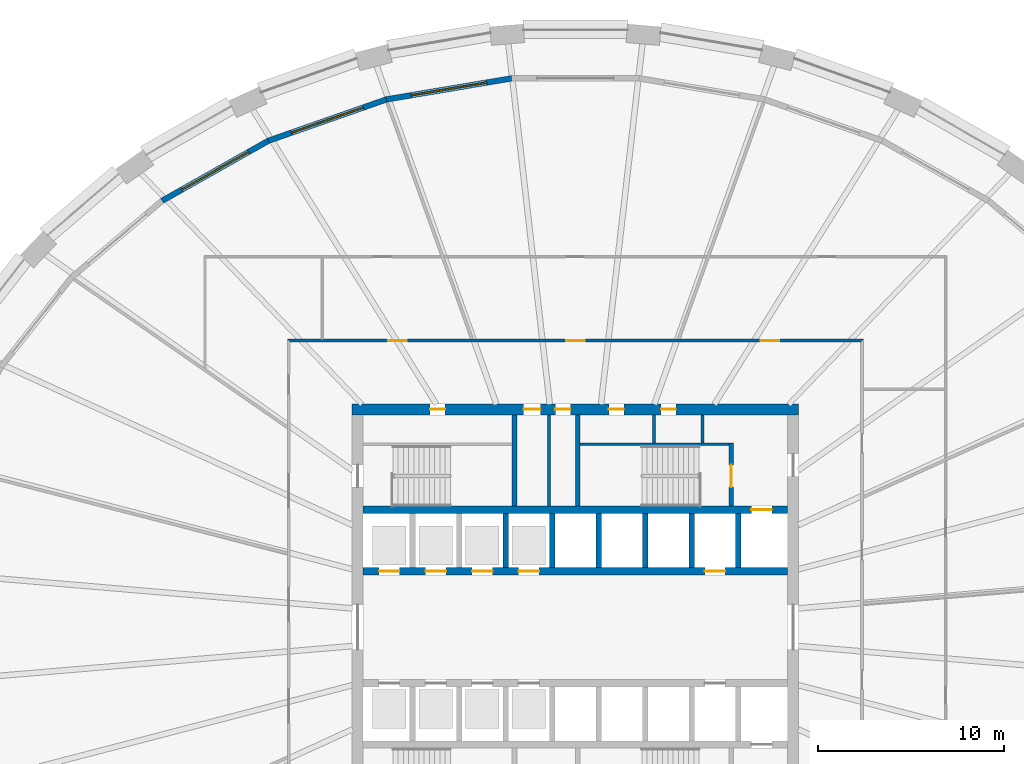
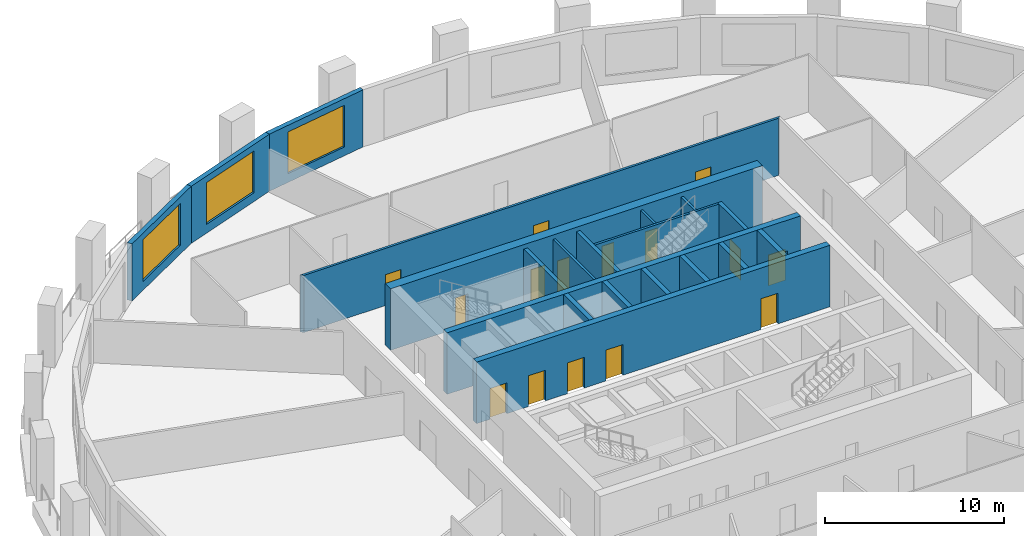
# One storey, part 6 of 11: 20 walls, 15 doors, 3 windows, 18 openings.
"""IFC4 building model written with IfcOpenShell, lengths in metres."""

from ifc_helpers import new_model, si_unit, direction, frame, frame_2d, origin, place, context, subcontext, project, spatial, polyline, rectangle, outline, extrude, material, layer, layer_set, type_object, element, fill, save


model = new_model("IFC4")

# Units and contexts
model_context = context("Model", 3, precision=1e-05, world=origin(), true_north=direction((0.0, 1.0)))
body_context = subcontext(model_context, "Body", "Model", "MODEL_VIEW")
ifc_project = project(units=[si_unit("LENGTHUNIT", "METRE"), si_unit("AREAUNIT", "SQUARE_METRE"), si_unit("VOLUMEUNIT", "CUBIC_METRE"), si_unit("PLANEANGLEUNIT", "RADIAN"), si_unit("MASSUNIT", "GRAM", prefix="KILO")], contexts=[model_context])

# Site, building, storey
site_placement = place(None, origin())
site = spatial("IfcSite", under=ifc_project, at=site_placement, CompositionType="ELEMENT")
building_placement = place(site_placement, origin())
building = spatial("IfcBuilding", under=site, at=building_placement, Name="Halqa Exchange Tower", CompositionType="ELEMENT")
storey_placement = place(building_placement, frame((0.0, 0.0, 44.5)))
storey = spatial("IfcBuildingStorey", under=building, at=storey_placement, Name="L09", CompositionType="ELEMENT", Elevation=44.5)

# Wall, openings, doors
ifc_material_1 = material(Name="Fire-rated gypsum board")
ifc_layer_1 = layer(ifc_material_1, 0.14990234375)
ifc_layer_set_1 = layer_set([ifc_layer_1], Name="Fire-rated gypsum board")
wall_type_1 = type_object("IfcWallType", Name="Fire partition EI 60 150", PredefinedType="PARTITIONING", material=ifc_layer_set_1)
wall_1_placement = place(storey_placement, frame((-15.47509765625, 15.39990234375, 0.0), z_axis=(0.0, 0.0, 1.0), x_axis=(1.0, 0.0, 0.0)))
wall_1 = element("IfcWall", 1, at=wall_1_placement, inside=storey, type_object=wall_type_1, Name="L09-PWL-012", PredefinedType="PARTITIONING", context=body_context, shape_type="SweptSolid", body=[
    extrude(outline(polyline([(0.150146484375, -0.074951171875), (2.065673828125, -0.074951171875), (3.9814453125, -0.074951171875), (5.89697265625, -0.074951171875), (7.8125, -0.074951171875), (9.728271484375, -0.074951171875), (11.643798828125, -0.074951171875), (13.5595703125, -0.074951171875), (15.47509765625, -0.074951171875), (17.390625, -0.074951171875), (19.306396484375, -0.074951171875), (21.221923828125, -0.074951171875), (23.1376953125, -0.074951171875), (25.05322265625, -0.074951171875), (26.96875, -0.074951171875), (28.884521484375, -0.074951171875), (30.800048828125, -0.074951171875), (30.949951171875, 0.074951171875), (29.015625, 0.074951171875), (27.081298828125, 0.074951171875), (25.14697265625, 0.074951171875), (23.21240234375, 0.074951171875), (21.278076171875, 0.074951171875), (19.34375, 0.074951171875), (17.409423828125, 0.074951171875), (15.47509765625, 0.074951171875), (13.540771484375, 0.074951171875), (11.6064453125, 0.074951171875), (9.672119140625, 0.074951171875), (7.73779296875, 0.074951171875), (5.80322265625, 0.074951171875), (3.868896484375, 0.074951171875), (1.9345703125, 0.074951171875), (0.000244140625, 0.074951171875), (0.150146484375, -0.074951171875)])), origin(), (0.0, 0.0, 1.0), 3.89990234375),
])
opening_1_placement = place(wall_1_placement, frame((5.4150390625, 0.0, 0.0)))
opening_1 = element("IfcOpeningElement", 2, at=opening_1_placement, cuts=wall_1, Name="Opening 02-02", PredefinedType="OPENING", context=body_context, shape_type="SweptSolid", body=[
    extrude(rectangle(XDim=1.0, YDim=2.10009765625, at=frame_2d((0.5, 1.050048828125))), frame((0.0, 0.0869140625, 0.0), z_axis=(0.0, -1.0, 0.0), x_axis=(1.0, 0.0, 0.0)), (0.0, 0.0, 1.0), 0.173828125),
])
opening_2_placement = place(wall_1_placement, frame((25.43505859375, 0.0, 0.0)))
opening_2 = element("IfcOpeningElement", 3, at=opening_2_placement, cuts=wall_1, Name="Opening 02-14", PredefinedType="OPENING", context=body_context, shape_type="SweptSolid", body=[
    extrude(rectangle(XDim=1.0, YDim=2.10009765625, at=frame_2d((0.5, 1.050048828125))), frame((0.0, 0.0869140625, 0.0), z_axis=(0.0, -1.0, 0.0), x_axis=(1.0, 0.0, 0.0)), (0.0, 0.0, 1.0), 0.173828125),
])
opening_3_placement = place(wall_1_placement, frame((14.97509765625, 0.0, 0.0)))
opening_3 = element("IfcOpeningElement", 4, at=opening_3_placement, cuts=wall_1, Name="Opening 02-16", PredefinedType="OPENING", context=body_context, shape_type="SweptSolid", body=[
    extrude(rectangle(XDim=1.0, YDim=2.10009765625, at=frame_2d((0.5, 1.050048828125))), frame((0.0, 0.0869140625, 0.0), z_axis=(0.0, -1.0, 0.0), x_axis=(1.0, 0.0, 0.0)), (0.0, 0.0, 1.0), 0.173828125),
])
ifc_material_2 = material(Name="Steel fire door leaf", Category="steel")
door_type_1 = type_object("IfcDoorType", Name="Fire door FD30S 1000 x 2100", OperationType="SINGLE_SWING_LEFT", PredefinedType="DOOR", material=ifc_material_2)
door_1_placement = place(opening_1_placement, origin())
door_1 = element("IfcDoor", 5, at=door_1_placement, inside=storey, type_object=door_type_1, Name="L09-IDR-002", OperationType="SINGLE_SWING_LEFT", OverallHeight=2.10009765625, OverallWidth=1.0, PredefinedType="DOOR", context=body_context, shape_type="SweptSolid", body=[
    extrude(rectangle(XDim=1.0, YDim=2.10009765625, at=frame_2d((0.5, 1.050048828125))), frame((0.0, 0.02490234375, 0.0), z_axis=(0.0, -1.0, 0.0), x_axis=(1.0, 0.0, 0.0)), (0.0, 0.0, 1.0), 0.050048828125),
])
fill(opening_1, door_1)
door_2_placement = place(opening_2_placement, origin())
door_2 = element("IfcDoor", 6, at=door_2_placement, inside=storey, type_object=door_type_1, Name="L09-IDR-014", OperationType="SINGLE_SWING_LEFT", OverallHeight=2.10009765625, OverallWidth=1.0, PredefinedType="DOOR", context=body_context, shape_type="SweptSolid", body=[
    extrude(rectangle(XDim=1.0, YDim=2.10009765625, at=frame_2d((0.5, 1.050048828125))), frame((0.0, 0.02490234375, 0.0), z_axis=(0.0, -1.0, 0.0), x_axis=(1.0, 0.0, 0.0)), (0.0, 0.0, 1.0), 0.050048828125),
])
fill(opening_2, door_2)
door_3_placement = place(opening_3_placement, origin())
door_3 = element("IfcDoor", 7, at=door_3_placement, inside=storey, type_object=door_type_1, Name="L09-IDR-016", OperationType="SINGLE_SWING_LEFT", OverallHeight=2.10009765625, OverallWidth=1.0, PredefinedType="DOOR", context=body_context, shape_type="SweptSolid", body=[
    extrude(rectangle(XDim=1.0, YDim=2.10009765625, at=frame_2d((0.5, 1.050048828125))), frame((0.0, 0.02490234375, 0.0), z_axis=(0.0, -1.0, 0.0), x_axis=(1.0, 0.0, 0.0)), (0.0, 0.0, 1.0), 0.050048828125),
])
fill(opening_3, door_3)

# Walls
ifc_material_3 = material(Name="Gypsum board")
ifc_layer_2 = layer(ifc_material_3, 0.14990234375)
ifc_layer_set_2 = layer_set([ifc_layer_2], Name="Gypsum board")
wall_type_2 = type_object("IfcWallType", Name="Penthouse riser wall 150 gypsum", PredefinedType="PARTITIONING", material=ifc_layer_set_2)
wall_2_placement = place(storey_placement, frame((-1.425048828125, 6.5, 0.0), z_axis=(0.0, 0.0, 1.0), x_axis=(0.0, 1.0, 0.0)))
element("IfcWall", 8, at=wall_2_placement, inside=storey, type_object=wall_type_2, Name="Partition W1.425 N", PredefinedType="PARTITIONING", context=body_context, shape_type="SweptSolid", body=[
    extrude(rectangle(XDim=4.89990234375, YDim=0.14990234375, at=frame_2d((2.449951171875, 0.0))), origin(), (0.0, 0.0, 1.0), 3.89990234375),
])
for number, where, z_axis, x_axis, name in (
    (9, (4.22509765625, 9.89990234375, 0.0), (0.0, 0.0, 1.0), (0.0, 1.0, 0.0), "Partition E4.225 N"),
    (10, (6.824951171875, 9.89990234375, 0.0), (0.0, 0.0, 1.0), (0.0, 1.0, 0.0), "Firefighting lobby west wall N"),
):
    element("IfcWall", number, at=place(storey_placement, frame(where, z_axis=z_axis, x_axis=x_axis)), inside=storey, type_object=wall_type_2, Name=name, PredefinedType="PARTITIONING", context=body_context, shape_type="SweptSolid", body=[
        extrude(rectangle(XDim=1.5, YDim=0.14990234375, at=frame_2d((0.75, 0.0))), origin(), (0.0, 0.0, 1.0), 3.89990234375),
    ])
ifc_material_4 = material(Name="Concrete C60/75", Category="concrete")
ifc_layer_3 = layer(ifc_material_4, 0.300048828125)
ifc_layer_set_3 = layer_set([ifc_layer_3], Name="Concrete C60/75")
wall_type_3 = type_object("IfcWallType", Name="RC core wall 300", PredefinedType="SHEAR", material=ifc_layer_set_3)
for number, where, z_axis, x_axis, name in (
    (11, (-3.75, 3.199951171875, 0.0), (0.0, 0.0, 1.0), (0.0, 1.0, 0.0), "Shaft divider N3"),
    (12, (-1.25, 3.199951171875, 0.0), (0.0, 0.0, 1.0), (0.0, 1.0, 0.0), "Shaft divider N4"),
    (13, (1.25, 3.199951171875, 0.0), (0.0, 0.0, 1.0), (0.0, 1.0, 0.0), "Shaft divider N5"),
    (14, (3.75, 3.199951171875, 0.0), (0.0, 0.0, 1.0), (0.0, 1.0, 0.0), "Shaft divider N6"),
    (15, (6.25, 3.199951171875, 0.0), (0.0, 0.0, 1.0), (0.0, 1.0, 0.0), "Shaft divider N7"),
    (16, (8.75, 3.199951171875, 0.0), (0.0, 0.0, 1.0), (0.0, 1.0, 0.0), "Shaft divider N8"),
):
    element("IfcWall", number, at=place(storey_placement, frame(where, z_axis=z_axis, x_axis=x_axis)), inside=storey, type_object=wall_type_3, Name=name, PredefinedType="SHEAR", context=body_context, shape_type="SweptSolid", body=[
        extrude(rectangle(XDim=2.900146484375, YDim=0.300048828125, at=frame_2d((1.4501953125, 0.0))), origin(), (0.0, 0.0, 1.0), 4.199951171875),
    ])

# Wall, openings, doors
ifc_material_5 = material(Name="Concrete C80/95", Category="concrete")
ifc_layer_4 = layer(ifc_material_5, 0.39990234375)
ifc_layer_set_4 = layer_set([ifc_layer_4], Name="Concrete C80/95")
wall_type_4 = type_object("IfcWallType", Name="RC core wall 400 C80/95", PredefinedType="SHEAR", material=ifc_layer_set_4)
wall_3_placement = place(storey_placement, frame((-11.39990234375, 3.0, 0.0), z_axis=(0.0, 0.0, 1.0), x_axis=(1.0, 0.0, 0.0)))
wall_3 = element("IfcWall", 17, at=wall_3_placement, inside=storey, type_object=wall_type_4, Name="Lift row front wall N", PredefinedType="SHEAR", context=body_context, shape_type="SweptSolid", body=[
    extrude(rectangle(XDim=22.7998046875, YDim=0.39990234375, at=frame_2d((11.39990234375, 0.0))), origin(), (0.0, 0.0, 1.0), 4.199951171875),
])
opening_4_placement = place(wall_3_placement, frame((0.85009765625, 0.0, 0.0)))
opening_4 = element("IfcOpeningElement", 18, at=opening_4_placement, cuts=wall_3, Name="Opening LD-LR1-T02", PredefinedType="OPENING", context=body_context, shape_type="SweptSolid", body=[
    extrude(rectangle(XDim=1.10009765625, YDim=2.10009765625, at=frame_2d((0.550048828125, 1.050048828125))), frame((0.0, 0.2119140625, 0.0), z_axis=(0.0, -1.0, 0.0), x_axis=(1.0, 0.0, 0.0)), (0.0, 0.0, 1.0), 0.423828125),
])
opening_5_placement = place(wall_3_placement, frame((3.35009765625, 0.0, 0.0)))
opening_5 = element("IfcOpeningElement", 19, at=opening_5_placement, cuts=wall_3, Name="Opening LD-LR2-T02", PredefinedType="OPENING", context=body_context, shape_type="SweptSolid", body=[
    extrude(rectangle(XDim=1.10009765625, YDim=2.10009765625, at=frame_2d((0.550048828125, 1.050048828125))), frame((0.0, 0.2119140625, 0.0), z_axis=(0.0, -1.0, 0.0), x_axis=(1.0, 0.0, 0.0)), (0.0, 0.0, 1.0), 0.423828125),
])
opening_6_placement = place(wall_3_placement, frame((5.85009765625, 0.0, 0.0)))
opening_6 = element("IfcOpeningElement", 20, at=opening_6_placement, cuts=wall_3, Name="Opening LD-LR3-T02", PredefinedType="OPENING", context=body_context, shape_type="SweptSolid", body=[
    extrude(rectangle(XDim=1.10009765625, YDim=2.10009765625, at=frame_2d((0.550048828125, 1.050048828125))), frame((0.0, 0.2119140625, 0.0), z_axis=(0.0, -1.0, 0.0), x_axis=(1.0, 0.0, 0.0)), (0.0, 0.0, 1.0), 0.423828125),
])
opening_7_placement = place(wall_3_placement, frame((8.35009765625, 0.0, 0.0)))
opening_7 = element("IfcOpeningElement", 21, at=opening_7_placement, cuts=wall_3, Name="Opening LD-LR4-T02", PredefinedType="OPENING", context=body_context, shape_type="SweptSolid", body=[
    extrude(rectangle(XDim=1.10009765625, YDim=2.10009765625, at=frame_2d((0.550048828125, 1.050048828125))), frame((0.0, 0.2119140625, 0.0), z_axis=(0.0, -1.0, 0.0), x_axis=(1.0, 0.0, 0.0)), (0.0, 0.0, 1.0), 0.423828125),
])
opening_8_placement = place(wall_3_placement, frame((18.35009765625, 0.0, 0.0)))
opening_8 = element("IfcOpeningElement", 22, at=opening_8_placement, cuts=wall_3, Name="Opening LD-SV1-T02", PredefinedType="OPENING", context=body_context, shape_type="SweptSolid", body=[
    extrude(rectangle(XDim=1.10009765625, YDim=2.10009765625, at=frame_2d((0.550048828125, 1.050048828125))), frame((0.0, 0.2119140625, 0.0), z_axis=(0.0, -1.0, 0.0), x_axis=(1.0, 0.0, 0.0)), (0.0, 0.0, 1.0), 0.423828125),
])
ifc_material_6 = material(Name="Stainless steel", Category="steel")
door_type_2 = type_object("IfcDoorType", Name="Lift landing door 1100 x 2100", OperationType="SLIDING_TO_LEFT", PredefinedType="DOOR", material=ifc_material_6)
door_4_placement = place(opening_4_placement, origin())
door_4 = element("IfcDoor", 23, at=door_4_placement, inside=storey, type_object=door_type_2, Name="Lift landing door LR1", OperationType="SLIDING_TO_LEFT", OverallHeight=2.10009765625, OverallWidth=1.10009765625, PredefinedType="DOOR", context=body_context, shape_type="SweptSolid", body=[
    extrude(rectangle(XDim=1.10009765625, YDim=2.10009765625, at=frame_2d((0.550048828125, 1.050048828125))), frame((0.0, 0.02490234375, 0.0), z_axis=(0.0, -1.0, 0.0), x_axis=(1.0, 0.0, 0.0)), (0.0, 0.0, 1.0), 0.050048828125),
])
fill(opening_4, door_4)
door_5_placement = place(opening_5_placement, origin())
door_5 = element("IfcDoor", 24, at=door_5_placement, inside=storey, type_object=door_type_2, Name="Lift landing door LR2", OperationType="SLIDING_TO_LEFT", OverallHeight=2.10009765625, OverallWidth=1.10009765625, PredefinedType="DOOR", context=body_context, shape_type="SweptSolid", body=[
    extrude(rectangle(XDim=1.10009765625, YDim=2.10009765625, at=frame_2d((0.550048828125, 1.050048828125))), frame((0.0, 0.02490234375, 0.0), z_axis=(0.0, -1.0, 0.0), x_axis=(1.0, 0.0, 0.0)), (0.0, 0.0, 1.0), 0.050048828125),
])
fill(opening_5, door_5)
door_6_placement = place(opening_6_placement, origin())
door_6 = element("IfcDoor", 25, at=door_6_placement, inside=storey, type_object=door_type_2, Name="Lift landing door LR3", OperationType="SLIDING_TO_LEFT", OverallHeight=2.10009765625, OverallWidth=1.10009765625, PredefinedType="DOOR", context=body_context, shape_type="SweptSolid", body=[
    extrude(rectangle(XDim=1.10009765625, YDim=2.10009765625, at=frame_2d((0.550048828125, 1.050048828125))), frame((0.0, 0.02490234375, 0.0), z_axis=(0.0, -1.0, 0.0), x_axis=(1.0, 0.0, 0.0)), (0.0, 0.0, 1.0), 0.050048828125),
])
fill(opening_6, door_6)
door_7_placement = place(opening_7_placement, origin())
door_7 = element("IfcDoor", 26, at=door_7_placement, inside=storey, type_object=door_type_2, Name="Lift landing door LR4", OperationType="SLIDING_TO_LEFT", OverallHeight=2.10009765625, OverallWidth=1.10009765625, PredefinedType="DOOR", context=body_context, shape_type="SweptSolid", body=[
    extrude(rectangle(XDim=1.10009765625, YDim=2.10009765625, at=frame_2d((0.550048828125, 1.050048828125))), frame((0.0, 0.02490234375, 0.0), z_axis=(0.0, -1.0, 0.0), x_axis=(1.0, 0.0, 0.0)), (0.0, 0.0, 1.0), 0.050048828125),
])
fill(opening_7, door_7)
door_8_placement = place(opening_8_placement, origin())
door_8 = element("IfcDoor", 27, at=door_8_placement, inside=storey, type_object=door_type_2, Name="Lift landing door SV1", OperationType="SLIDING_TO_LEFT", OverallHeight=2.10009765625, OverallWidth=1.10009765625, PredefinedType="DOOR", context=body_context, shape_type="SweptSolid", body=[
    extrude(rectangle(XDim=1.10009765625, YDim=2.10009765625, at=frame_2d((0.550048828125, 1.050048828125))), frame((0.0, 0.02490234375, 0.0), z_axis=(0.0, -1.0, 0.0), x_axis=(1.0, 0.0, 0.0)), (0.0, 0.0, 1.0), 0.050048828125),
])
fill(opening_8, door_8)

# Wall, opening, door
wall_4_placement = place(storey_placement, frame((-11.39990234375, 6.300048828125, 0.0), z_axis=(0.0, 0.0, 1.0), x_axis=(1.0, 0.0, 0.0)))
wall_4 = element("IfcWall", 28, at=wall_4_placement, inside=storey, type_object=wall_type_4, Name="Lift row back wall N", PredefinedType="SHEAR", context=body_context, shape_type="SweptSolid", body=[
    extrude(rectangle(XDim=22.7998046875, YDim=0.39990234375, at=frame_2d((11.39990234375, 0.0))), origin(), (0.0, 0.0, 1.0), 4.199951171875),
])
opening_9_placement = place(wall_4_placement, frame((20.85009765625, 0.0, 0.0)))
opening_9 = element("IfcOpeningElement", 29, at=opening_9_placement, cuts=wall_4, Name="Opening LD-FF1-T02", PredefinedType="OPENING", context=body_context, shape_type="SweptSolid", body=[
    extrude(rectangle(XDim=1.10009765625, YDim=2.10009765625, at=frame_2d((0.550048828125, 1.050048828125))), frame((0.0, 0.2119140625, 0.0), z_axis=(0.0, -1.0, 0.0), x_axis=(1.0, 0.0, 0.0)), (0.0, 0.0, 1.0), 0.423828125),
])
door_9_placement = place(opening_9_placement, origin())
door_9 = element("IfcDoor", 30, at=door_9_placement, inside=storey, type_object=door_type_2, Name="Lift landing door FF1", OperationType="SLIDING_TO_LEFT", OverallHeight=2.10009765625, OverallWidth=1.10009765625, PredefinedType="DOOR", context=body_context, shape_type="SweptSolid", body=[
    extrude(rectangle(XDim=1.10009765625, YDim=2.10009765625, at=frame_2d((0.550048828125, 1.050048828125))), frame((0.0, 0.02490234375, 0.0), z_axis=(0.0, -1.0, 0.0), x_axis=(1.0, 0.0, 0.0)), (0.0, 0.0, 1.0), 0.050048828125),
])
fill(opening_9, door_9)

# Wall, openings, doors
ifc_layer_5 = layer(ifc_material_5, 0.60009765625)
ifc_layer_set_5 = layer_set([ifc_layer_5], Name="Concrete C80/95")
wall_type_5 = type_object("IfcWallType", Name="RC core wall 600 C80/95", PredefinedType="SHEAR", material=ifc_layer_set_5)
wall_5_placement = place(storey_placement, frame((-12.0, 11.699951171875, 0.0), z_axis=(0.0, 0.0, 1.0), x_axis=(1.0, 0.0, 0.0)))
wall_5 = element("IfcWall", 31, at=wall_5_placement, inside=storey, type_object=wall_type_5, Name="Core wall north", PredefinedType="SHEAR", context=body_context, shape_type="SweptSolid", body=[
    extrude(rectangle(XDim=24.0, YDim=0.60009765625, at=frame_2d((12.0, 0.0))), origin(), (0.0, 0.0, 1.0), 4.199951171875),
])
opening_10_placement = place(wall_5_placement, frame((9.22509765625, 0.0, 0.0)))
opening_10 = element("IfcOpeningElement", 32, at=opening_10_placement, cuts=wall_5, Name="Opening T02-C21", PredefinedType="OPENING", context=body_context, shape_type="SweptSolid", body=[
    extrude(rectangle(XDim=0.89990234375, YDim=2.10009765625, at=frame_2d((0.449951171875, 1.050048828125))), frame((0.0, 0.31201171875, 0.0), z_axis=(0.0, -1.0, 0.0), x_axis=(1.0, 0.0, 0.0)), (0.0, 0.0, 1.0), 0.6240234375),
])
opening_11_placement = place(wall_5_placement, frame((10.925048828125, 0.0, 0.0)))
opening_11 = element("IfcOpeningElement", 33, at=opening_11_placement, cuts=wall_5, Name="Opening T02-C22", PredefinedType="OPENING", context=body_context, shape_type="SweptSolid", body=[
    extrude(rectangle(XDim=0.800048828125, YDim=2.10009765625, at=frame_2d((0.39990234375, 1.050048828125))), frame((0.0, 0.31201171875, 0.0), z_axis=(0.0, -1.0, 0.0), x_axis=(1.0, 0.0, 0.0)), (0.0, 0.0, 1.0), 0.6240234375),
])
opening_12_placement = place(wall_5_placement, frame((4.199951171875, 0.0, 0.0)))
opening_12 = element("IfcOpeningElement", 34, at=opening_12_placement, cuts=wall_5, Name="Opening T02-C23", PredefinedType="OPENING", context=body_context, shape_type="SweptSolid", body=[
    extrude(rectangle(XDim=0.800048828125, YDim=2.10009765625, at=frame_2d((0.39990234375, 1.050048828125))), frame((0.0, 0.31201171875, 0.0), z_axis=(0.0, -1.0, 0.0), x_axis=(1.0, 0.0, 0.0)), (0.0, 0.0, 1.0), 0.6240234375),
])
opening_13_placement = place(wall_5_placement, frame((13.800048828125, 0.0, 0.0)))
opening_13 = element("IfcOpeningElement", 35, at=opening_13_placement, cuts=wall_5, Name="Opening T02-C24", PredefinedType="OPENING", context=body_context, shape_type="SweptSolid", body=[
    extrude(rectangle(XDim=0.800048828125, YDim=2.10009765625, at=frame_2d((0.39990234375, 1.050048828125))), frame((0.0, 0.31201171875, 0.0), z_axis=(0.0, -1.0, 0.0), x_axis=(1.0, 0.0, 0.0)), (0.0, 0.0, 1.0), 0.6240234375),
])
opening_14_placement = place(wall_5_placement, frame((16.60009765625, 0.0, 0.0)))
opening_14 = element("IfcOpeningElement", 36, at=opening_14_placement, cuts=wall_5, Name="Opening T02-C25", PredefinedType="OPENING", context=body_context, shape_type="SweptSolid", body=[
    extrude(rectangle(XDim=0.800048828125, YDim=2.10009765625, at=frame_2d((0.39990234375, 1.050048828125))), frame((0.0, 0.31201171875, 0.0), z_axis=(0.0, -1.0, 0.0), x_axis=(1.0, 0.0, 0.0)), (0.0, 0.0, 1.0), 0.6240234375),
])
ifc_material_7 = material(Name="Timber fire door leaf", Category="wood")
door_type_3 = type_object("IfcDoorType", Name="Core room door FD30 900 x 2100", OperationType="SINGLE_SWING_LEFT", PredefinedType="DOOR", material=ifc_material_7)
door_10_placement = place(opening_10_placement, frame((0.89990234375, 0.0, 0.0), z_axis=(0.0, 0.0, 1.0), x_axis=(-1.0, 0.0, 0.0)))
door_10 = element("IfcDoor", 37, at=door_10_placement, inside=storey, type_object=door_type_3, Name="Core room door", OperationType="SINGLE_SWING_LEFT", OverallHeight=2.10009765625, OverallWidth=0.89990234375, PredefinedType="DOOR", context=body_context, shape_type="SweptSolid", body=[
    extrude(rectangle(XDim=0.89990234375, YDim=2.10009765625, at=frame_2d((0.449951171875, 1.050048828125))), frame((0.0, 0.02490234375, 0.0), z_axis=(0.0, -1.0, 0.0), x_axis=(1.0, 0.0, 0.0)), (0.0, 0.0, 1.0), 0.050048828125),
])
fill(opening_10, door_10)
door_type_4 = type_object("IfcDoorType", Name="Riser door FD60 800 x 2100", OperationType="SINGLE_SWING_LEFT", PredefinedType="DOOR", material=ifc_material_2)
door_11_placement = place(opening_11_placement, frame((0.800048828125, 0.0, 0.0), z_axis=(0.0, 0.0, 1.0), x_axis=(-1.0, 0.0, 0.0)))
door_11 = element("IfcDoor", 38, at=door_11_placement, inside=storey, type_object=door_type_4, Name="Core room door", OperationType="SINGLE_SWING_LEFT", OverallHeight=2.10009765625, OverallWidth=0.800048828125, PredefinedType="DOOR", context=body_context, shape_type="SweptSolid", body=[
    extrude(rectangle(XDim=0.800048828125, YDim=2.10009765625, at=frame_2d((0.39990234375, 1.050048828125))), frame((0.0, 0.02490234375, 0.0), z_axis=(0.0, -1.0, 0.0), x_axis=(1.0, 0.0, 0.0)), (0.0, 0.0, 1.0), 0.050048828125),
])
fill(opening_11, door_11)
door_12_placement = place(opening_12_placement, frame((0.800048828125, 0.0, 0.0), z_axis=(0.0, 0.0, 1.0), x_axis=(-1.0, 0.0, 0.0)))
door_12 = element("IfcDoor", 39, at=door_12_placement, inside=storey, type_object=door_type_4, Name="Core room door", OperationType="SINGLE_SWING_LEFT", OverallHeight=2.10009765625, OverallWidth=0.800048828125, PredefinedType="DOOR", context=body_context, shape_type="SweptSolid", body=[
    extrude(rectangle(XDim=0.800048828125, YDim=2.10009765625, at=frame_2d((0.39990234375, 1.050048828125))), frame((0.0, 0.02490234375, 0.0), z_axis=(0.0, -1.0, 0.0), x_axis=(1.0, 0.0, 0.0)), (0.0, 0.0, 1.0), 0.050048828125),
])
fill(opening_12, door_12)
door_13_placement = place(opening_13_placement, frame((0.800048828125, 0.0, 0.0), z_axis=(0.0, 0.0, 1.0), x_axis=(-1.0, 0.0, 0.0)))
door_13 = element("IfcDoor", 40, at=door_13_placement, inside=storey, type_object=door_type_4, Name="Core room door", OperationType="SINGLE_SWING_RIGHT", OverallHeight=2.10009765625, OverallWidth=0.800048828125, PredefinedType="DOOR", context=body_context, shape_type="SweptSolid", body=[
    extrude(rectangle(XDim=0.800048828125, YDim=2.10009765625, at=frame_2d((0.39990234375, 1.050048828125))), frame((0.0, 0.02490234375, 0.0), z_axis=(0.0, -1.0, 0.0), x_axis=(1.0, 0.0, 0.0)), (0.0, 0.0, 1.0), 0.050048828125),
])
fill(opening_13, door_13)
door_14_placement = place(opening_14_placement, frame((0.800048828125, 0.0, 0.0), z_axis=(0.0, 0.0, 1.0), x_axis=(-1.0, 0.0, 0.0)))
door_14 = element("IfcDoor", 41, at=door_14_placement, inside=storey, type_object=door_type_4, Name="Core room door", OperationType="SINGLE_SWING_LEFT", OverallHeight=2.10009765625, OverallWidth=0.800048828125, PredefinedType="DOOR", context=body_context, shape_type="SweptSolid", body=[
    extrude(rectangle(XDim=0.800048828125, YDim=2.10009765625, at=frame_2d((0.39990234375, 1.050048828125))), frame((0.0, 0.02490234375, 0.0), z_axis=(0.0, -1.0, 0.0), x_axis=(1.0, 0.0, 0.0)), (0.0, 0.0, 1.0), 0.050048828125),
])
fill(opening_14, door_14)

# Walls
ifc_material_8 = material(Name="Concrete C30/37", Category="concrete")
ifc_layer_6 = layer(ifc_material_8, 0.14990234375)
ifc_layer_set_6 = layer_set([ifc_layer_6], Name="Concrete C30/37")
wall_type_6 = type_object("IfcWallType", Name="RC stair wall 150 C30/37", PredefinedType="SHEAR", material=ifc_layer_set_6)
wall_6_placement = place(storey_placement, frame((0.25, 9.824951171875, 0.0), z_axis=(0.0, 0.0, 1.0), x_axis=(1.0, 0.0, 0.0)))
element("IfcWall", 42, at=wall_6_placement, inside=storey, type_object=wall_type_6, Name="Stair ST2 north wall N", PredefinedType="SHEAR", context=body_context, shape_type="SweptSolid", body=[
    extrude(rectangle(XDim=8.0, YDim=0.14990234375, at=frame_2d((4.0, 0.0))), origin(), (0.0, 0.0, 1.0), 3.89990234375),
])
ifc_layer_7 = layer(ifc_material_8, 0.25)
ifc_layer_set_7 = layer_set([ifc_layer_7], Name="Concrete C30/37")
wall_type_7 = type_object("IfcWallType", Name="RC stair wall 250 C30/37", PredefinedType="SHEAR", material=ifc_layer_set_7)
for number, where, z_axis, x_axis, name in (
    (43, (-3.27490234375, 6.5, 0.0), (0.0, 0.0, 1.0), (0.0, 1.0, 0.0), "Stair ST1 east wall N"),
    (44, (0.125, 6.5, 0.0), (0.0, 0.0, 1.0), (0.0, 1.0, 0.0), "Stair ST2 west wall N"),
):
    element("IfcWall", number, at=place(storey_placement, frame(where, z_axis=z_axis, x_axis=x_axis)), inside=storey, type_object=wall_type_7, Name=name, PredefinedType="SHEAR", context=body_context, shape_type="SweptSolid", body=[
        extrude(rectangle(XDim=4.89990234375, YDim=0.25, at=frame_2d((2.449951171875, 0.0))), origin(), (0.0, 0.0, 1.0), 3.89990234375),
    ])

# Wall, opening, door
wall_7_placement = place(storey_placement, frame((8.375, 6.5, 0.0), z_axis=(0.0, 0.0, 1.0), x_axis=(0.0, 1.0, 0.0)))
wall_7 = element("IfcWall", 45, at=wall_7_placement, inside=storey, type_object=wall_type_7, Name="Stair ST2 east wall N", PredefinedType="SHEAR", context=body_context, shape_type="SweptSolid", body=[
    extrude(rectangle(XDim=3.39990234375, YDim=0.25, at=frame_2d((1.699951171875, 0.0))), origin(), (0.0, 0.0, 1.0), 3.89990234375),
])
opening_15_placement = place(wall_7_placement, frame((1.02490234375, 0.0, 0.0)))
opening_15 = element("IfcOpeningElement", 46, at=opening_15_placement, cuts=wall_7, Name="Opening T02-C16", PredefinedType="OPENING", context=body_context, shape_type="SweptSolid", body=[
    extrude(rectangle(XDim=1.199951171875, YDim=2.10009765625, at=frame_2d((0.60009765625, 1.050048828125))), frame((0.0, 0.136962890625, 0.0), z_axis=(0.0, -1.0, 0.0), x_axis=(1.0, 0.0, 0.0)), (0.0, 0.0, 1.0), 0.27392578125),
])
door_type_5 = type_object("IfcDoorType", Name="Stair door FD90 1200 x 2100", OperationType="SINGLE_SWING_LEFT", PredefinedType="DOOR", material=ifc_material_2)
door_15_placement = place(opening_15_placement, origin())
door_15 = element("IfcDoor", 47, at=door_15_placement, inside=storey, type_object=door_type_5, Name="Stair door ST2", OperationType="SINGLE_SWING_RIGHT", OverallHeight=2.10009765625, OverallWidth=1.199951171875, PredefinedType="DOOR", context=body_context, shape_type="SweptSolid", body=[
    extrude(rectangle(XDim=1.199951171875, YDim=2.10009765625, at=frame_2d((0.60009765625, 1.050048828125))), frame((0.0, 0.02490234375, 0.0), z_axis=(0.0, -1.0, 0.0), x_axis=(1.0, 0.0, 0.0)), (0.0, 0.0, 1.0), 0.050048828125),
])
fill(opening_15, door_15)

# Wall, opening, window
ifc_material_9 = material(Name="Limestone cladding", Category="masonry")
ifc_layer_8 = layer(ifc_material_9, 0.0400390625)
ifc_material_10 = material(Name="Ventilated cavity")
ifc_layer_9 = layer(ifc_material_10, 0.030029296875, ventilated=True)
ifc_material_11 = material(Name="Mineral wool insulation")
ifc_layer_10 = layer(ifc_material_11, 0.10009765625)
ifc_layer_11 = layer(ifc_material_8, 0.10009765625)
ifc_material_12 = material(Name="Internal plaster")
ifc_layer_12 = layer(ifc_material_12, 0.030029296875)
ifc_layer_set_8 = layer_set([ifc_layer_8, ifc_layer_9, ifc_layer_10, ifc_layer_11, ifc_layer_12], Name="Stone-faced insulated wall 300")
wall_type_8 = type_object("IfcWallType", Name="Stone-faced insulated wall 300", PredefinedType="STANDARD", material=ifc_layer_set_8)
wall_8_placement = place(storey_placement, frame((-3.42919921875, 29.486328125, 0.0), z_axis=(0.0, 0.0, 1.0), x_axis=(-0.986145179906, -0.165884550659, 0.0)))
wall_8 = element("IfcWall", 48, at=wall_8_placement, inside=storey, type_object=wall_type_8, Name="Glass-line wall 9", PredefinedType="STANDARD", context=body_context, shape_type="SweptSolid", body=[
    extrude(outline(polyline([(-0.012451171875, -0.14990234375), (6.834228515625, -0.14990234375), (6.808837890625, 0.14990234375), (0.012451171875, 0.14990234375), (-0.012451171875, -0.14990234375)])), origin(), (0.0, 0.0, 1.0), 3.89990234375),
])
opening_16_placement = place(wall_8_placement, frame((1.36083984375, 0.0, 0.60009765625)))
opening_16 = element("IfcOpeningElement", 49, at=opening_16_placement, cuts=wall_8, Name="Opening W-F1-09", PredefinedType="OPENING", context=body_context, shape_type="SweptSolid", body=[
    extrude(rectangle(XDim=4.10009765625, YDim=2.85009765625, at=frame_2d((2.050048828125, 1.425048828125))), frame((0.0, 0.162109375, 0.0), z_axis=(0.0, -1.0, 0.0), x_axis=(1.0, 0.0, 0.0)), (0.0, 0.0, 1.0), 0.323974609375),
])
ifc_material_13 = material(Name="Clear low-emissivity glass in aluminium frame", Category="aluminium")
window_type = type_object("IfcWindowType", Name="Fixed clear glazed window 4100 x 2850", PartitioningType="TRIPLE_PANEL_VERTICAL", PredefinedType="WINDOW", material=ifc_material_13)
window_1_placement = place(opening_16_placement, origin())
window_1 = element("IfcWindow", 50, at=window_1_placement, inside=storey, type_object=window_type, Name="Window 1", OverallHeight=2.85009765625, OverallWidth=4.10009765625, PartitioningType="TRIPLE_PANEL_VERTICAL", PredefinedType="WINDOW", context=body_context, shape_type="SweptSolid", body=[
    extrude(rectangle(XDim=4.10009765625, YDim=2.85009765625, at=frame_2d((2.050048828125, 1.425048828125))), frame((0.0, 0.030029296875, 0.0), z_axis=(0.0, -1.0, 0.0), x_axis=(1.0, 0.0, 0.0)), (0.0, 0.0, 1.0), 0.06005859375),
])
fill(opening_16, window_1)

wall_9_placement = place(storey_placement, frame((-10.15625, 28.354736328125, 0.0), z_axis=(0.0, 0.0, 1.0), x_axis=(-0.943778979427, -0.330577128657, 0.0)))
wall_9 = element("IfcWall", 51, at=wall_9_placement, inside=storey, type_object=wall_type_8, Name="Glass-line wall 10", PredefinedType="STANDARD", context=body_context, shape_type="SweptSolid", body=[
    extrude(outline(polyline([(-0.0126953125, -0.14990234375), (6.728759765625, -0.14990234375), (6.701904296875, 0.14990234375), (0.0126953125, 0.14990234375), (-0.0126953125, -0.14990234375)])), origin(), (0.0, 0.0, 1.0), 3.89990234375),
])
opening_17_placement = place(wall_9_placement, frame((1.3076171875, 0.0, 0.60009765625)))
opening_17 = element("IfcOpeningElement", 52, at=opening_17_placement, cuts=wall_9, Name="Opening W-F1-10", PredefinedType="OPENING", context=body_context, shape_type="SweptSolid", body=[
    extrude(rectangle(XDim=4.10009765625, YDim=2.85009765625, at=frame_2d((2.050048828125, 1.425048828125))), frame((0.0, 0.162109375, 0.0), z_axis=(0.0, -1.0, 0.0), x_axis=(1.0, 0.0, 0.0)), (0.0, 0.0, 1.0), 0.323974609375),
])
window_2_placement = place(opening_17_placement, origin())
window_2 = element("IfcWindow", 53, at=window_2_placement, inside=storey, type_object=window_type, Name="Window 1", OverallHeight=2.85009765625, OverallWidth=4.10009765625, PartitioningType="TRIPLE_PANEL_VERTICAL", PredefinedType="WINDOW", context=body_context, shape_type="SweptSolid", body=[
    extrude(rectangle(XDim=4.10009765625, YDim=2.85009765625, at=frame_2d((2.050048828125, 1.425048828125))), frame((0.0, 0.030029296875, 0.0), z_axis=(0.0, -1.0, 0.0), x_axis=(1.0, 0.0, 0.0)), (0.0, 0.0, 1.0), 0.06005859375),
])
fill(opening_17, window_2)

wall_10_placement = place(storey_placement, frame((-16.494140625, 26.134765625, 0.0), z_axis=(0.0, 0.0, 1.0), x_axis=(-0.87061279013, -0.491968870623, 0.0)))
wall_10 = element("IfcWall", 54, at=wall_10_placement, inside=storey, type_object=wall_type_8, Name="Glass-line wall 11", PredefinedType="STANDARD", context=body_context, shape_type="SweptSolid", body=[
    extrude(outline(polyline([(-0.013427734375, -0.14990234375), (6.567626953125, -0.14990234375), (6.539306640625, 0.14990234375), (0.013427734375, 0.14990234375), (-0.013427734375, -0.14990234375)])), origin(), (0.0, 0.0, 1.0), 3.89990234375),
])
opening_18_placement = place(wall_10_placement, frame((1.226806640625, 0.0, 0.60009765625)))
opening_18 = element("IfcOpeningElement", 55, at=opening_18_placement, cuts=wall_10, Name="Opening W-F1-11", PredefinedType="OPENING", context=body_context, shape_type="SweptSolid", body=[
    extrude(rectangle(XDim=4.10009765625, YDim=2.85009765625, at=frame_2d((2.050048828125, 1.425048828125))), frame((0.0, 0.162109375, 0.0), z_axis=(0.0, -1.0, 0.0), x_axis=(1.0, 0.0, 0.0)), (0.0, 0.0, 1.0), 0.323974609375),
])
window_3_placement = place(opening_18_placement, origin())
window_3 = element("IfcWindow", 56, at=window_3_placement, inside=storey, type_object=window_type, Name="Window 1", OverallHeight=2.85009765625, OverallWidth=4.10009765625, PartitioningType="TRIPLE_PANEL_VERTICAL", PredefinedType="WINDOW", context=body_context, shape_type="SweptSolid", body=[
    extrude(rectangle(XDim=4.10009765625, YDim=2.85009765625, at=frame_2d((2.050048828125, 1.425048828125))), frame((0.0, 0.030029296875, 0.0), z_axis=(0.0, -1.0, 0.0), x_axis=(1.0, 0.0, 0.0)), (0.0, 0.0, 1.0), 0.06005859375),
])
fill(opening_18, window_3)

save(model, "model.ifc")
